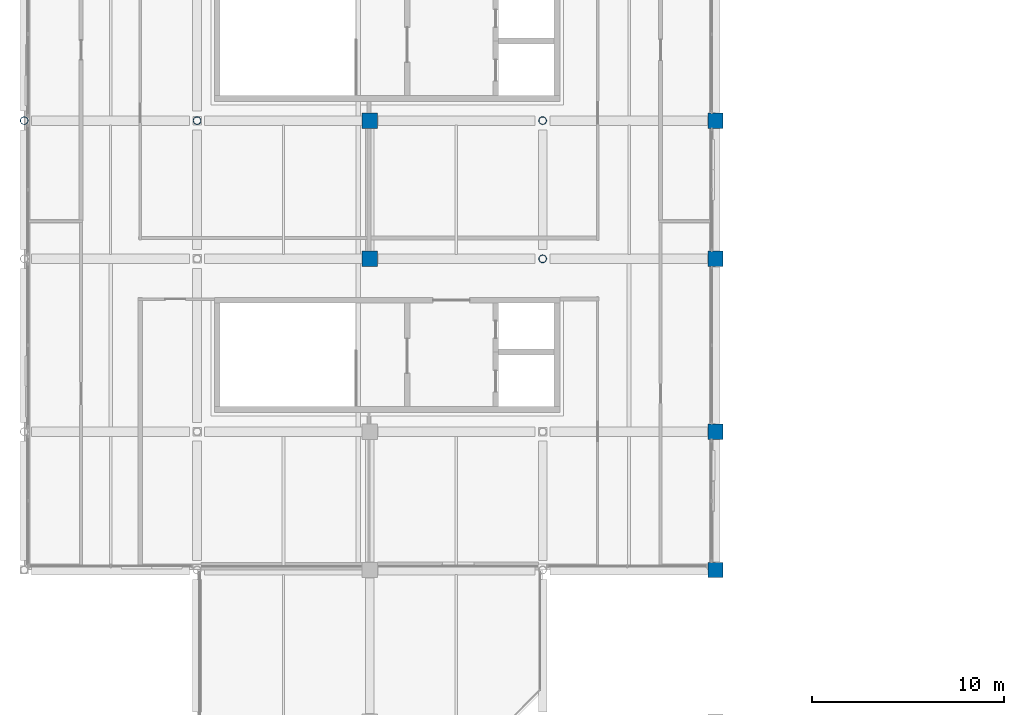
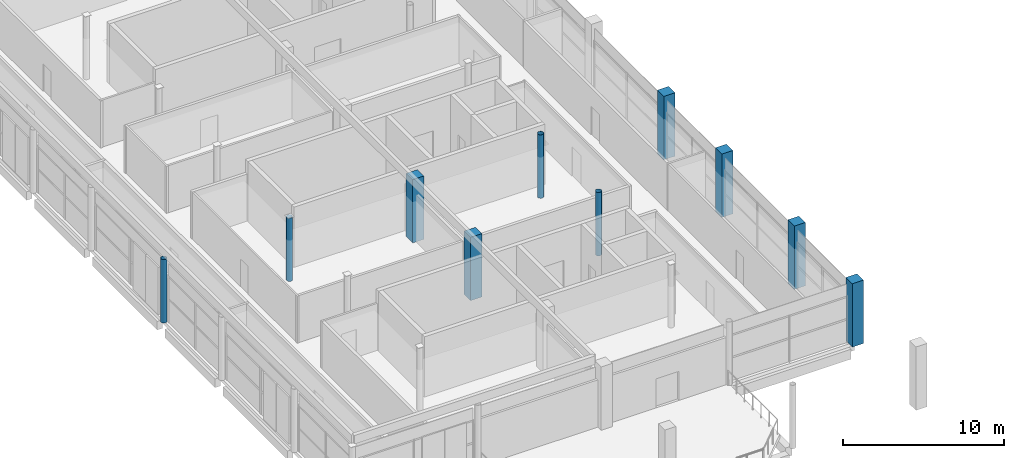
# One storey, part 2 of 114: 10 columns.
"""IFC4 building model written with IfcOpenShell, lengths in metres."""

from ifc_helpers import new_model, si_unit, direction, frame, origin, origin_2d, place, context, subcontext, project, spatial, rectangle, hollow_circle, extrude, material, material_profile, profile_set, type_object, element, save


model = new_model("IFC4")

# Units and contexts
model_context = context("Model", 3, precision=1e-05, world=origin(), true_north=direction((0.0, 1.0)))
body_context = subcontext(model_context, "Body", "Model", "MODEL_VIEW")
ifc_project = project(units=[si_unit("LENGTHUNIT", "METRE"), si_unit("AREAUNIT", "SQUARE_METRE"), si_unit("VOLUMEUNIT", "CUBIC_METRE"), si_unit("PLANEANGLEUNIT", "RADIAN"), si_unit("MASSUNIT", "GRAM", prefix="KILO"), si_unit("THERMODYNAMICTEMPERATUREUNIT", "KELVIN"), si_unit("POWERUNIT", "WATT")], contexts=[model_context])

# Site, building, storey
site_placement = place(None, origin())
site = spatial("IfcSite", under=ifc_project, at=site_placement, CompositionType="ELEMENT")
building_placement = place(site_placement, origin())
building = spatial("IfcBuilding", under=site, at=building_placement, Name="Sindhuravela Promenade Stadium", CompositionType="ELEMENT")
storey_placement = place(building_placement, frame((0.0, 0.0, 24.0)))
storey = spatial("IfcBuildingStorey", under=building, at=storey_placement, Name="L05", CompositionType="ELEMENT", Elevation=24.0)

# Columns
ifc_material_1 = material(Name="Concrete M40", Category="concrete")
ifc_material_profile_1 = material_profile(ifc_material_1, rectangle(XDim=0.800048828125, YDim=0.800048828125, at=origin_2d()), Name="RC 800x800")
ifc_profile_set_1 = profile_set([ifc_material_profile_1], Name="Concrete M40")
column_type_1 = type_object("IfcColumnType", Name="RC-CL-800x800", PredefinedType="COLUMN", material=ifc_profile_set_1)
for number, where, z_axis, x_axis, name in (
    (1, (18.0, 61.199951171875, 0.0), (0.0, 0.0, 1.0), (1.0, 0.0, 0.0), "Column C11 WEST L05"),
    (2, (18.0, 68.39990234375, 0.0), (0.0, 0.0, 1.0), (1.0, 0.0, 0.0), "Column C11 WEST L05"),
    (3, (36.0, 45.0, 0.0), (0.0, 0.0, 1.0), (1.0, 0.0, 0.0), "Column C11 WEST L05"),
    (4, (36.0, 52.199951171875, 0.0), (0.0, 0.0, 1.0), (1.0, 0.0, 0.0), "Column C11 WEST L05"),
    (5, (36.0, 61.199951171875, 0.0), (0.0, 0.0, 1.0), (1.0, 0.0, 0.0), "Column C11 WEST L05"),
    (6, (36.0, 68.39990234375, 0.0), (0.0, 0.0, 1.0), (1.0, 0.0, 0.0), "Column C11 WEST L05"),
):
    element("IfcColumn", number, at=place(storey_placement, frame(where, z_axis=z_axis, x_axis=x_axis)), inside=storey, type_object=column_type_1, Name=name, PredefinedType="COLUMN", context=body_context, shape_type="SweptSolid", body=[
        extrude(rectangle(XDim=0.800048828125, YDim=0.800048828125, at=origin_2d()), origin(), (0.0, 0.0, 1.0), 4.800048828125),
    ])
ifc_material_2 = material(Name="Steel E350 (IS 2062 E350BR)", Category="steel")
ifc_material_profile_2 = material_profile(ifc_material_2, hollow_circle(Radius=0.203125, WallThickness=0.013916015625, at=origin_2d()), Name="CHS 406.4x14")
ifc_profile_set_2 = profile_set([ifc_material_profile_2], Name="Steel E350 (IS 2062 E350BR)")
column_type_2 = type_object("IfcColumnType", Name="ST-CL-CHS406", PredefinedType="COLUMN", material=ifc_profile_set_2)
for number, where, z_axis, x_axis, name in (
    (7, (0.0, 68.39990234375, 0.0), (0.0, 0.0, 1.0), (1.0, 0.0, 0.0), "Column SC05 WEST L05"),
    (8, (9.0, 68.39990234375, 0.0), (0.0, 0.0, 1.0), (1.0, 0.0, 0.0), "Column SC05 WEST L05"),
    (9, (27.0, 61.199951171875, 0.0), (0.0, 0.0, 1.0), (1.0, 0.0, 0.0), "Column SC05 WEST L05"),
    (10, (27.0, 68.39990234375, 0.0), (0.0, 0.0, 1.0), (1.0, 0.0, 0.0), "Column SC05 WEST L05"),
):
    element("IfcColumn", number, at=place(storey_placement, frame(where, z_axis=z_axis, x_axis=x_axis)), inside=storey, type_object=column_type_2, Name=name, PredefinedType="COLUMN", context=body_context, shape_type="SweptSolid", body=[
        extrude(hollow_circle(Radius=0.203125, WallThickness=0.013916015625, at=origin_2d()), origin(), (0.0, 0.0, 1.0), 4.800048828125),
    ])

save(model, "model.ifc")
